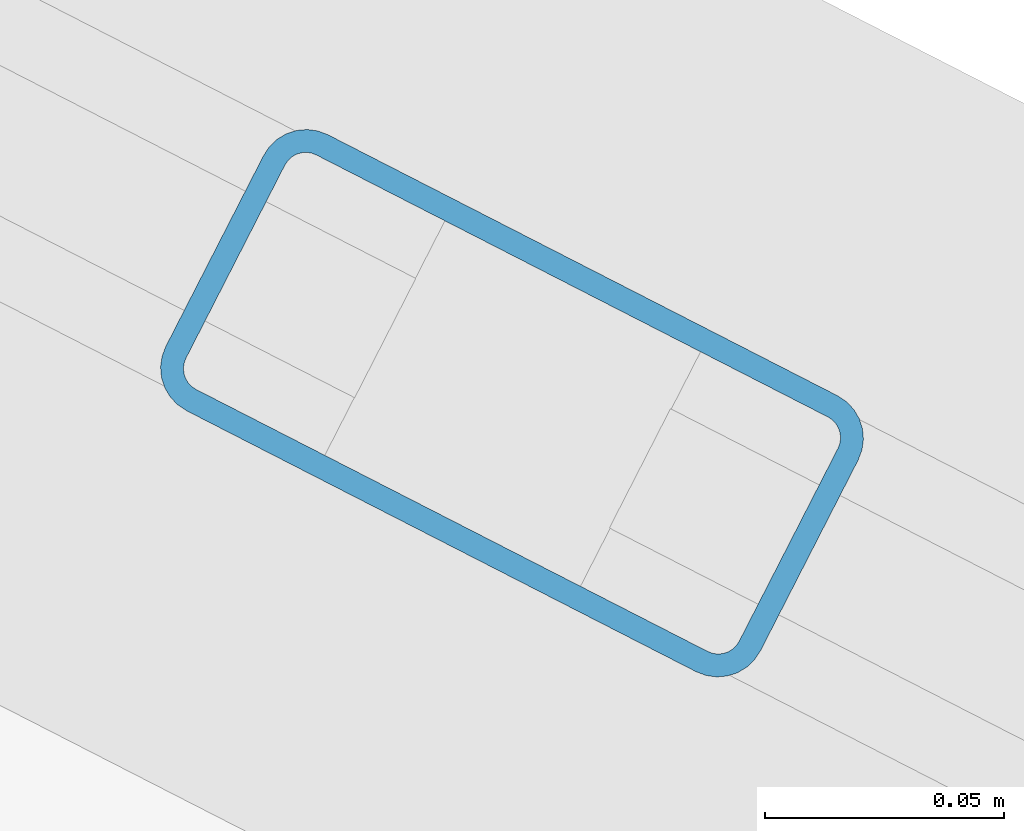
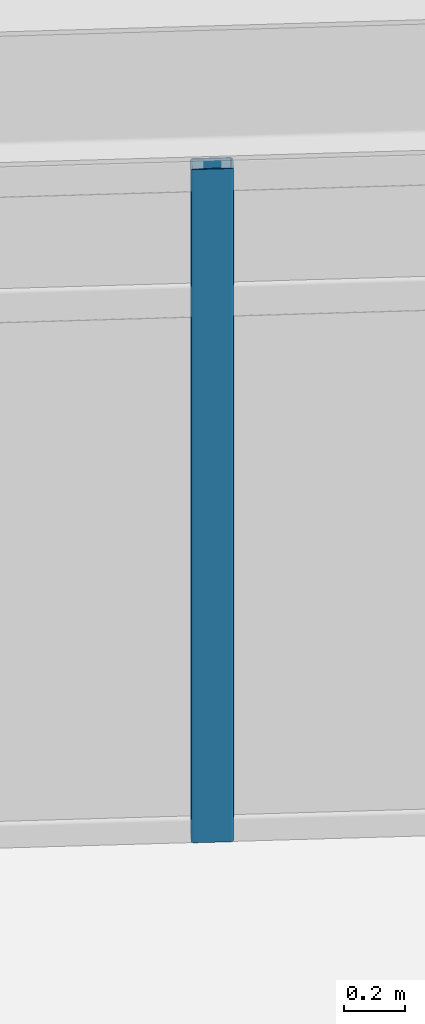
# One storey, part 16 of 27: 1 member, 1 element without a shape of its own.
"""IFC4 building model written with IfcOpenShell, lengths in metres."""

from ifc_helpers import new_model, si_unit, direction, frame, origin, origin_2d, place, context, subcontext, project, spatial, hollow_rectangle, extrude, material, layer, layer_set, material_profile, profile_set, type_object, element, aggregate, save


model = new_model("IFC4")

# Units and contexts
model_context = context("Model", 3, precision=1e-05, world=origin(), true_north=direction((0.0, 1.0)))
body_context = subcontext(model_context, "Body", "Model", "MODEL_VIEW")
ifc_project = project(units=[si_unit("LENGTHUNIT", "METRE"), si_unit("AREAUNIT", "SQUARE_METRE"), si_unit("VOLUMEUNIT", "CUBIC_METRE"), si_unit("PLANEANGLEUNIT", "RADIAN"), si_unit("MASSUNIT", "GRAM", prefix="KILO")], contexts=[model_context])

# Site, building, storey
site_placement = place(None, origin())
site = spatial("IfcSite", under=ifc_project, at=site_placement, CompositionType="ELEMENT")
building_placement = place(site_placement, origin())
building = spatial("IfcBuilding", under=site, at=building_placement, Name="Soratama Intermodal Tower", CompositionType="ELEMENT")
storey_placement = place(building_placement, frame((0.0, 0.0, 197.800048828125)))
storey = spatial("IfcBuildingStorey", under=building, at=storey_placement, Name="L49", CompositionType="ELEMENT", Elevation=197.800048828125)

# Curtain wall, member
ifc_material_1 = material(Name="Double-glazed aluminium curtain wall", Category="aluminium")
ifc_layer = layer(ifc_material_1, 0.159912109375)
ifc_layer_set = layer_set([ifc_layer], Name="Double-glazed aluminium curtain wall")
curtain_wall_type = type_object("IfcCurtainWallType", Name="CW-SYS-5", PredefinedType="NOTDEFINED", material=ifc_layer_set)
curtain_wall_placement = place(storey_placement, origin())
curtain_wall = element("IfcCurtainWall", 1, at=curtain_wall_placement, inside=storey, type_object=curtain_wall_type, Name="L49 Faceted Curtain Wall F01", PredefinedType="NOTDEFINED")
ifc_material_2 = material(Name="Anodised aluminium AA 6063-T6", Category="aluminium")
ifc_material_profile = material_profile(ifc_material_2, hollow_rectangle(XDim=0.06494140625, YDim=0.139892578125, WallThickness=0.0048828125, InnerFilletRadius=0.0048828125, OuterFilletRadius=0.010009765625, at=origin_2d()), Name="CWM140X65X5")
ifc_profile_set = profile_set([ifc_material_profile], Name="Anodised aluminium AA 6063-T6")
member_type = type_object("IfcMemberType", Name="MT-CWM-5", PredefinedType="MULLION", material=ifc_profile_set)
member_placement = place(storey_placement, frame((53.888916015625, 42.355712890625, 0.0), z_axis=(0.0, 0.0, 1.0), x_axis=(-0.455860497554, -0.890051238283, 0.0)))
member = element("IfcMember", 2, at=member_placement, type_object=member_type, Name="CW-5 mullion 2", PredefinedType="MULLION", context=body_context, shape_type="SweptSolid", body=[
    extrude(hollow_rectangle(XDim=0.06494140625, YDim=0.139892578125, WallThickness=0.0048828125, InnerFilletRadius=0.0048828125, OuterFilletRadius=0.010009765625, at=origin_2d()), origin(), (0.0, 0.0, 1.0), 2.678955078125),
])
aggregate(curtain_wall, [member])

save(model, "model.ifc")
